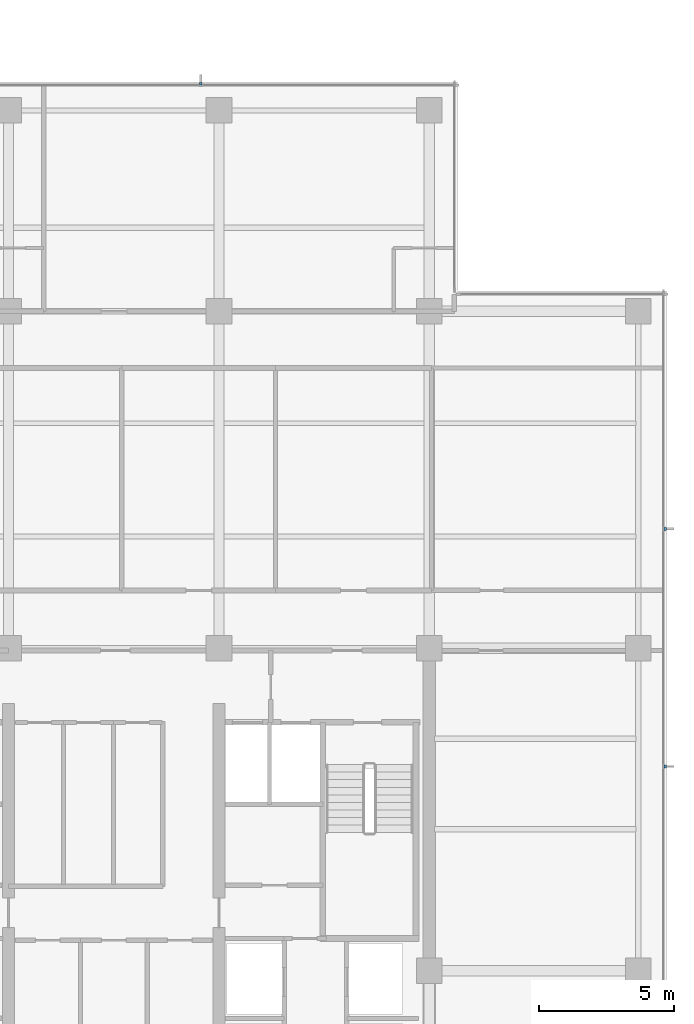
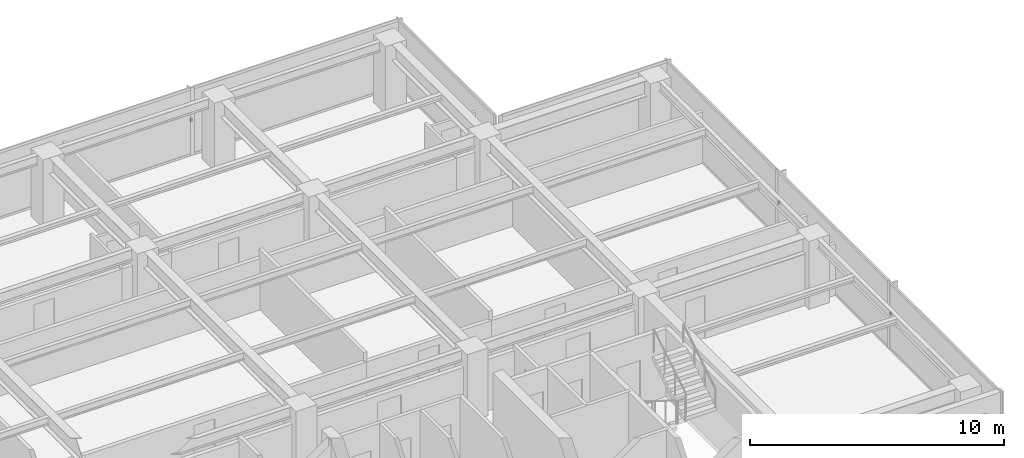
# One storey, part 12 of 14: 3 discrete accessories.
"""IFC4 building model written with IfcOpenShell, lengths in metres."""

from ifc_helpers import new_model, si_unit, direction, frame, origin, place, context, subcontext, project, spatial, polyline, outline, extrude, material, type_object, element, save


model = new_model("IFC4")

# Units and contexts
model_context = context("Model", 3, precision=1e-05, world=origin(), true_north=direction((0.0, 1.0)))
body_context = subcontext(model_context, "Body", "Model", "MODEL_VIEW")
ifc_project = project(units=[si_unit("LENGTHUNIT", "METRE"), si_unit("AREAUNIT", "SQUARE_METRE"), si_unit("VOLUMEUNIT", "CUBIC_METRE"), si_unit("PLANEANGLEUNIT", "RADIAN"), si_unit("MASSUNIT", "GRAM", prefix="KILO")], contexts=[model_context])

# Site, building, storey
site_placement = place(None, origin())
site = spatial("IfcSite", under=ifc_project, at=site_placement, CompositionType="ELEMENT")
building_placement = place(site_placement, origin())
building = spatial("IfcBuilding", under=site, at=building_placement, Name="Qalmaran Belvedere Hotel", CompositionType="ELEMENT")
storey_placement = place(building_placement, frame((0.0, 0.0, 224.89990234375)))
storey = spatial("IfcBuildingStorey", under=building, at=storey_placement, Name="L57", CompositionType="ELEMENT", Elevation=224.89990234375)

# Discrete accessories
ifc_material = material(Name="Stainless Steel 1.4401", Category="steel")
discrete_accessory_type = type_object("IfcDiscreteAccessoryType", Name="BRK-FIN-SS316", PredefinedType="BRACKET", material=ifc_material)
discrete_accessory_1_placement = place(storey_placement, frame((0.0, 0.0, 1.580078125)))
element("IfcDiscreteAccessory", 1, at=discrete_accessory_1_placement, inside=storey, type_object=discrete_accessory_type, Name="L57 Fin Bracket 1", PredefinedType="BRACKET", context=body_context, shape_type="SweptSolid", body=[
    extrude(outline(polyline([(53.4951171875, 16.061767578125), (53.58740234375, 16.061767578125), (53.58740234375, 16.171630859375), (53.4951171875, 16.171630859375), (53.4951171875, 16.061767578125)])), origin(), (0.0, 0.0, 1.0), 0.14013671875),
])
discrete_accessory_2_placement = place(storey_placement, frame((0.0, 0.0, 1.580078125)))
element("IfcDiscreteAccessory", 2, at=discrete_accessory_2_placement, inside=storey, type_object=discrete_accessory_type, Name="L57 Fin Bracket 2", PredefinedType="BRACKET", context=body_context, shape_type="SweptSolid", body=[
    extrude(outline(polyline([(53.4951171875, 24.87841796875), (53.58740234375, 24.87841796875), (53.58740234375, 24.98828125), (53.4951171875, 24.98828125), (53.4951171875, 24.87841796875)])), origin(), (0.0, 0.0, 1.0), 0.14013671875),
])
discrete_accessory_3_placement = place(storey_placement, frame((0.0, 0.0, 1.580078125)))
element("IfcDiscreteAccessory", 3, at=discrete_accessory_3_placement, inside=storey, type_object=discrete_accessory_type, Name="L57 Fin Bracket 1", PredefinedType="BRACKET", context=body_context, shape_type="SweptSolid", body=[
    extrude(outline(polyline([(36.3798828125, 41.39501953125), (36.3798828125, 41.487548828125), (36.27001953125, 41.487548828125), (36.27001953125, 41.39501953125), (36.3798828125, 41.39501953125)])), origin(), (0.0, 0.0, 1.0), 0.14013671875),
])

save(model, "model.ifc")
